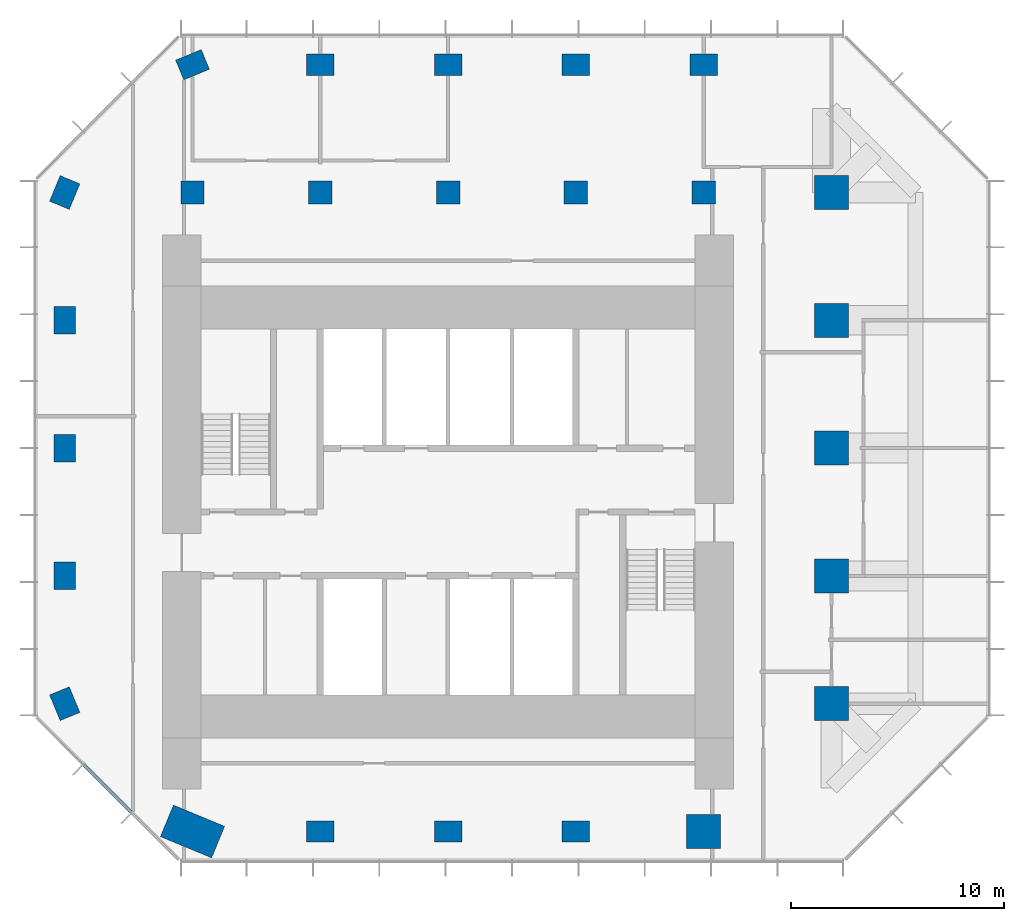
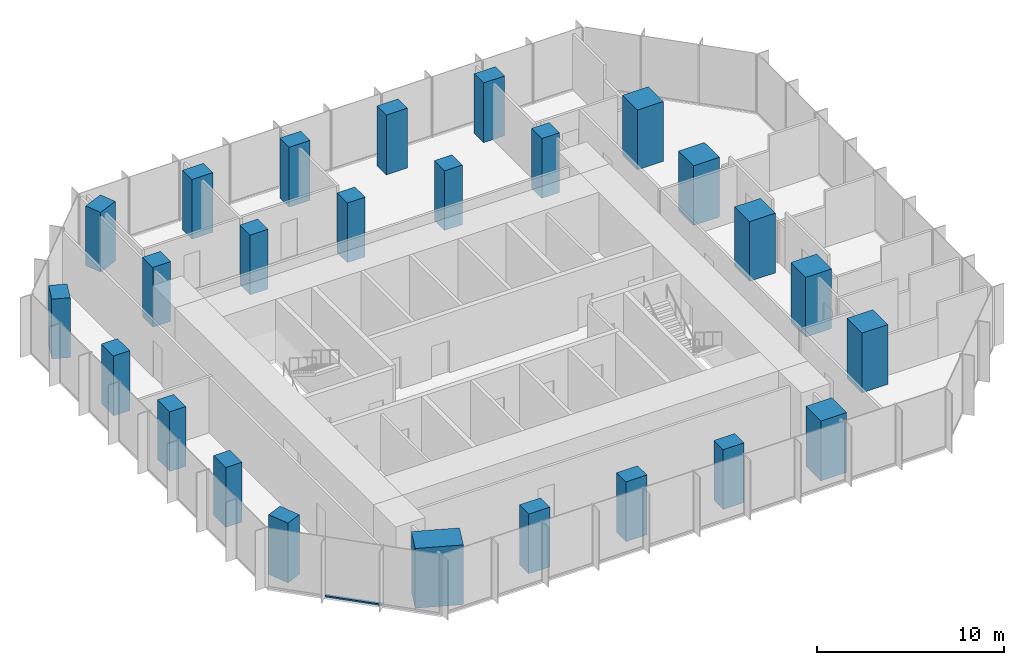
# One storey, part 1 of 11: 25 columns, 1 member, 1 element without a shape of its own.
"""IFC4 building model written with IfcOpenShell, lengths in metres."""

from ifc_helpers import new_model, si_unit, direction, frame, origin, origin_2d, place, context, subcontext, project, spatial, rectangle, extrude, material, layer, layer_set, material_profile, profile_set, type_object, element, aggregate, save


model = new_model("IFC4")

# Units and contexts
model_context = context("Model", 3, precision=1e-05, world=origin(), true_north=direction((0.0, 1.0)))
body_context = subcontext(model_context, "Body", "Model", "MODEL_VIEW")
ifc_project = project(units=[si_unit("LENGTHUNIT", "METRE"), si_unit("AREAUNIT", "SQUARE_METRE"), si_unit("VOLUMEUNIT", "CUBIC_METRE"), si_unit("PLANEANGLEUNIT", "RADIAN"), si_unit("MASSUNIT", "GRAM", prefix="KILO")], contexts=[model_context])

# Site, building, storey
site_placement = place(None, origin())
site = spatial("IfcSite", under=ifc_project, at=site_placement, CompositionType="ELEMENT")
building_placement = place(site_placement, origin())
building = spatial("IfcBuilding", under=site, at=building_placement, Name="Highveld Stack Headquarters", CompositionType="ELEMENT")
storey_placement = place(building_placement, frame((0.0, 0.0, 260.60009765625)))
storey = spatial("IfcBuildingStorey", under=building, at=storey_placement, Name="L64", CompositionType="ELEMENT", Elevation=260.60009765625)

# Columns
ifc_material_1 = material(Name="Concrete C60/75", Category="concrete")
ifc_material_profile_1 = material_profile(ifc_material_1, rectangle(XDim=1.10009765625, YDim=1.10009765625, at=origin_2d()), Name="RC 1100x1100")
ifc_profile_set_1 = profile_set([ifc_material_profile_1], Name="Concrete C60/75")
column_type_1 = type_object("IfcColumnType", Name="COLUMN RC 1100x1100 C60/75", PredefinedType="COLUMN", material=ifc_profile_set_1)
for number, where, z_axis, x_axis, name in (
    (1, (-6.0, 18.0, 0.0), (0.0, 0.0, 1.0), (1.0, 0.0, 0.0), "Column 5/H L64"),
    (2, (0.0, 18.0, 0.0), (0.0, 0.0, 1.0), (1.0, 0.0, 0.0), "Column 6/H L64"),
    (3, (6.0, 18.0, 0.0), (0.0, 0.0, 1.0), (1.0, 0.0, 0.0), "Column 7/H L64"),
    (4, (12.0, 18.0, 0.0), (0.0, 0.0, 1.0), (1.0, 0.0, 0.0), "Column 8/H L64"),
    (5, (18.0, 18.0, 0.0), (0.0, 0.0, 1.0), (1.0, 0.0, 0.0), "Column 9/H L64"),
):
    element("IfcColumn", number, at=place(storey_placement, frame(where, z_axis=z_axis, x_axis=x_axis)), inside=storey, type_object=column_type_1, Name=name, PredefinedType="COLUMN", context=body_context, shape_type="SweptSolid", body=[
        extrude(rectangle(XDim=1.10009765625, YDim=1.10009765625, at=origin_2d()), origin(), (0.0, 0.0, 1.0), 3.89990234375),
    ])
ifc_material_2 = material(Name="Concrete C60/75", Category="concrete")
ifc_material_profile_2 = material_profile(ifc_material_2, rectangle(XDim=1.300048828125, YDim=1.0, at=origin_2d()), Name="RC 1300x1000")
ifc_profile_set_2 = profile_set([ifc_material_profile_2], Name="Concrete C60/75")
column_type_2 = type_object("IfcColumnType", Name="COLUMN RC 1300x1000 C60/75", PredefinedType="COLUMN", material=ifc_profile_set_2)
for number, where, z_axis, x_axis, name in (
    (6, (-12.0, -6.0, 0.0), (0.0, 0.0, 1.0), (-0.382683432365, 0.923879532511, 0.0), "Column 4/D L64"),
    (7, (-12.0, 0.0, 0.0), (0.0, 0.0, 1.0), (0.0, 1.0, 0.0), "Column 4/E L64"),
    (8, (-12.0, 6.0, 0.0), (0.0, 0.0, 1.0), (0.0, 1.0, 0.0), "Column 4/F L64"),
    (9, (-12.0, 12.0, 0.0), (0.0, 0.0, 1.0), (0.0, 1.0, 0.0), "Column 4/G L64"),
    (10, (-12.0, 18.0, 0.0), (0.0, 0.0, 1.0), (0.382683432365, 0.923879532511, 0.0), "Column 4/H L64"),
    (11, (-6.0, 24.0, 0.0), (0.0, 0.0, 1.0), (0.923879532511, 0.382683432365, 0.0), "Column 5/J L64"),
    (12, (0.0, -12.0, 0.0), (0.0, 0.0, 1.0), (1.0, 0.0, 0.0), "Column 6/C L64"),
    (13, (0.0, 24.0, 0.0), (0.0, 0.0, 1.0), (1.0, 0.0, 0.0), "Column 6/J L64"),
    (14, (6.0, -12.0, 0.0), (0.0, 0.0, 1.0), (1.0, 0.0, 0.0), "Column 7/C L64"),
    (15, (6.0, 24.0, 0.0), (0.0, 0.0, 1.0), (1.0, 0.0, 0.0), "Column 7/J L64"),
    (16, (12.0, -12.0, 0.0), (0.0, 0.0, 1.0), (1.0, 0.0, 0.0), "Column 8/C L64"),
    (17, (12.0, 24.0, 0.0), (0.0, 0.0, 1.0), (1.0, 0.0, 0.0), "Column 8/J L64"),
    (18, (18.0, 24.0, 0.0), (0.0, 0.0, 1.0), (1.0, 0.0, 0.0), "Column 9/J L64"),
):
    element("IfcColumn", number, at=place(storey_placement, frame(where, z_axis=z_axis, x_axis=x_axis)), inside=storey, type_object=column_type_2, Name=name, PredefinedType="COLUMN", context=body_context, shape_type="SweptSolid", body=[
        extrude(rectangle(XDim=1.300048828125, YDim=1.0, at=origin_2d()), origin(), (0.0, 0.0, 1.0), 3.89990234375),
    ])
ifc_material_3 = material(Name="Concrete C60/75", Category="concrete")
ifc_material_profile_3 = material_profile(ifc_material_3, rectangle(XDim=1.60009765625, YDim=1.60009765625, at=origin_2d()), Name="RC 1600x1600")
ifc_profile_set_3 = profile_set([ifc_material_profile_3], Name="Concrete C60/75")
column_type_3 = type_object("IfcColumnType", Name="COLUMN RC 1600x1600 C60/75", PredefinedType="COLUMN", material=ifc_profile_set_3)
for number, where, z_axis, x_axis, name in (
    (19, (18.0, -12.0, 0.0), (0.0, 0.0, 1.0), (1.0, 0.0, 0.0), "Column 9/C L64"),
    (20, (24.0, -6.0, 0.0), (0.0, 0.0, 1.0), (1.0, 0.0, 0.0), "Column 10/D L64"),
    (21, (24.0, 0.0, 0.0), (0.0, 0.0, 1.0), (1.0, 0.0, 0.0), "Column 10/E L64"),
    (22, (24.0, 6.0, 0.0), (0.0, 0.0, 1.0), (1.0, 0.0, 0.0), "Column 10/F L64"),
    (23, (24.0, 12.0, 0.0), (0.0, 0.0, 1.0), (1.0, 0.0, 0.0), "Column 10/G L64"),
    (24, (24.0, 18.0, 0.0), (0.0, 0.0, 1.0), (1.0, 0.0, 0.0), "Column 10/H L64"),
):
    element("IfcColumn", number, at=place(storey_placement, frame(where, z_axis=z_axis, x_axis=x_axis)), inside=storey, type_object=column_type_3, Name=name, PredefinedType="COLUMN", context=body_context, shape_type="SweptSolid", body=[
        extrude(rectangle(XDim=1.60009765625, YDim=1.60009765625, at=origin_2d()), origin(), (0.0, 0.0, 1.0), 3.89990234375),
    ])
ifc_material_4 = material(Name="Concrete C60/75", Category="concrete")
ifc_material_profile_4 = material_profile(ifc_material_4, rectangle(XDim=2.60009765625, YDim=1.60009765625, at=origin_2d()), Name="RC 2600x1600")
ifc_profile_set_4 = profile_set([ifc_material_profile_4], Name="Concrete C60/75")
column_type_4 = type_object("IfcColumnType", Name="COLUMN RC 2600x1600 C60/75", PredefinedType="COLUMN", material=ifc_profile_set_4)
column_placement = place(storey_placement, frame((-6.0, -12.0, 0.0), z_axis=(0.0, 0.0, 1.0), x_axis=(-0.923879532511, 0.382683432365, 0.0)))
element("IfcColumn", 25, at=column_placement, inside=storey, type_object=column_type_4, Name="Column 5/C L64", PredefinedType="COLUMN", context=body_context, shape_type="SweptSolid", body=[
    extrude(rectangle(XDim=2.60009765625, YDim=1.60009765625, at=origin_2d()), origin(), (0.0, 0.0, 1.0), 3.89990234375),
])

# Curtain wall, member
ifc_material_5 = material(Name="Aluminium bronze anodised", Category="aluminium")
ifc_layer = layer(ifc_material_5, 0.199951171875)
ifc_layer_set = layer_set([ifc_layer], Name="Aluminium bronze anodised")
curtain_wall_type = type_object("IfcCurtainWallType", Name="CW5 EXECUTIVE UNITISED CURTAIN WALL", PredefinedType="NOTDEFINED", material=ifc_layer_set)
curtain_wall_placement = place(storey_placement, origin())
curtain_wall = element("IfcCurtainWall", 26, at=curtain_wall_placement, inside=storey, type_object=curtain_wall_type, Name="Curtain wall CW5 L64 SW", PredefinedType="NOTDEFINED")
ifc_material_6 = material(Name="Aluminium bronze anodised", Category="aluminium")
ifc_material_profile_5 = material_profile(ifc_material_6, rectangle(XDim=0.14990234375, YDim=0.10009765625, at=origin_2d()), Name="CW5 TRANSOM 150x100")
ifc_profile_set_5 = profile_set([ifc_material_profile_5], Name="Aluminium bronze anodised")
member_type = type_object("IfcMemberType", Name="CW5 STACK TRANSOM 150x100", PredefinedType="USERDEFINED", material=ifc_profile_set_5)
member_placement = place(storey_placement, frame((-11.103759765625, -8.876220703125, 0.0498046875), z_axis=(0.707106781187, -0.707106781187, 0.0), x_axis=(0.707106781187, 0.707106781187, 0.0)))
member = element("IfcMember", 27, at=member_placement, type_object=member_type, Name="CW5 transom L64 2.1", ObjectType="TRANSOM", PredefinedType="USERDEFINED", context=body_context, shape_type="SweptSolid", body=[
    extrude(rectangle(XDim=0.14990234375, YDim=0.10009765625, at=origin_2d()), origin(), (0.0, 0.0, 1.0), 3.150146484375),
])
aggregate(curtain_wall, [member])

save(model, "model.ifc")
